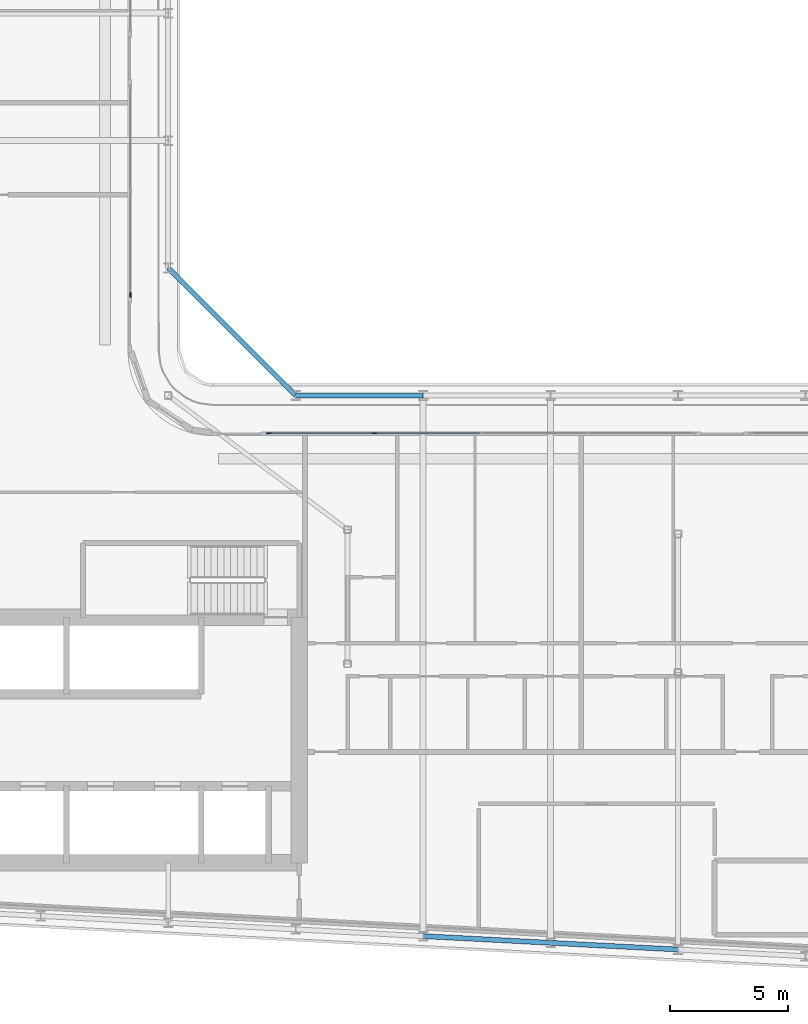
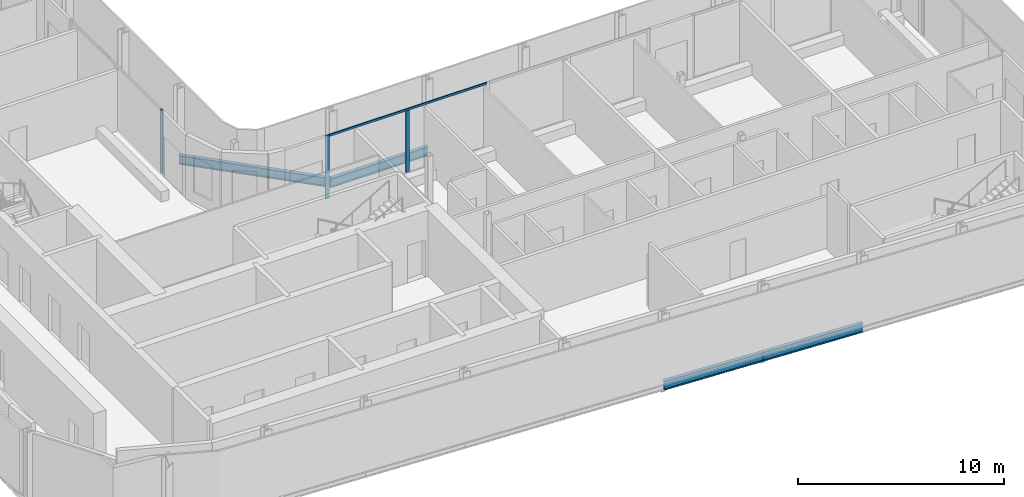
# One storey, part 4 of 21: 4 beams, 4 members, 2 elements without a shape of their own.
"""IFC4 building model written with IfcOpenShell, lengths in metres."""

from ifc_helpers import new_model, si_unit, direction, frame, origin, origin_2d, place, context, subcontext, project, spatial, rectangle, i_section, extrude, material, layer, layer_set, material_profile, profile_set, type_object, element, aggregate, save


model = new_model("IFC4")

# Units and contexts
model_context = context("Model", 3, precision=1e-05, world=origin(), true_north=direction((0.0, 1.0)))
body_context = subcontext(model_context, "Body", "Model", "MODEL_VIEW")
ifc_project = project(units=[si_unit("LENGTHUNIT", "METRE"), si_unit("AREAUNIT", "SQUARE_METRE"), si_unit("VOLUMEUNIT", "CUBIC_METRE"), si_unit("PLANEANGLEUNIT", "RADIAN"), si_unit("MASSUNIT", "GRAM", prefix="KILO")], contexts=[model_context])

# Site, building, storey
site_placement = place(None, origin())
site = spatial("IfcSite", under=ifc_project, at=site_placement, CompositionType="ELEMENT")
building_placement = place(site_placement, origin())
building = spatial("IfcBuilding", under=site, at=building_placement, Name="Kheshtan School and Residences Tower", CompositionType="ELEMENT")
storey_placement = place(building_placement, frame((0.0, 0.0, 235.699951171875)))
storey = spatial("IfcBuildingStorey", under=building, at=storey_placement, Name="L55", CompositionType="ELEMENT", Elevation=235.699951171875)

# Beams
ifc_material_1 = material(Name="Steel ASTM A992 Grade 50", Category="steel")
ifc_material_profile_1 = material_profile(ifc_material_1, i_section(OverallWidth=0.208984375, OverallDepth=0.532958984375, WebThickness=0.01025390625, FlangeThickness=0.015625, FilletRadius=0.013916015625, at=origin_2d()), Name="W530x92")
ifc_profile_set_1 = profile_set([ifc_material_profile_1], Name="Steel ASTM A992 Grade 50")
beam_type = type_object("IfcBeamType", Name="Beam SP3 W530x92 ASTM A992 Grade 50", PredefinedType="BEAM", material=ifc_profile_set_1)
beam_1_placement = place(storey_placement, frame((47.60009765625, 51.0, -0.41650390625), z_axis=(0.707106781187, -0.707106781187, 0.0), x_axis=(0.707106781187, 0.707106781187, 0.0)))
element("IfcBeam", 1, at=beam_1_placement, inside=storey, type_object=beam_type, Name="Spandrel beam C079-C061", PredefinedType="BEAM", context=body_context, shape_type="SweptSolid", body=[
    extrude(i_section(OverallWidth=0.208984375, OverallDepth=0.532958984375, WebThickness=0.01025390625, FlangeThickness=0.015625, FilletRadius=0.013916015625, at=origin_2d()), origin(), (0.0, 0.0, 1.0), 7.63671875),
])
beam_2_placement = place(storey_placement, frame((53.0, 45.60009765625, -0.41650390625), z_axis=(1.0, 0.0, 0.0), x_axis=(0.0, 1.0, 0.0)))
element("IfcBeam", 2, at=beam_2_placement, inside=storey, type_object=beam_type, Name="Spandrel beam C061-C062", PredefinedType="BEAM", context=body_context, shape_type="SweptSolid", body=[
    extrude(i_section(OverallWidth=0.208984375, OverallDepth=0.532958984375, WebThickness=0.01025390625, FlangeThickness=0.015625, FilletRadius=0.013916015625, at=origin_2d()), origin(), (0.0, 0.0, 1.0), 5.39990234375),
])
beam_3_placement = place(storey_placement, frame((69.199951171875, 22.126953125, -0.41650390625), z_axis=(-0.998620447272, 0.05250906864, 0.0), x_axis=(-0.05250906864, -0.998620447272, 0.0)))
element("IfcBeam", 3, at=beam_3_placement, inside=storey, type_object=beam_type, Name="Spandrel beam C014-C016", PredefinedType="BEAM", context=body_context, shape_type="SweptSolid", body=[
    extrude(i_section(OverallWidth=0.208984375, OverallDepth=0.532958984375, WebThickness=0.01025390625, FlangeThickness=0.015625, FilletRadius=0.013916015625, at=origin_2d()), origin(), (0.0, 0.0, 1.0), 5.407470703125),
])
beam_4_placement = place(storey_placement, frame((63.800048828125, 22.410888671875, -0.41650390625), z_axis=(-0.998618203458, 0.052551724256, 0.0), x_axis=(-0.052551724256, -0.998618203458, 0.0)))
element("IfcBeam", 4, at=beam_4_placement, inside=storey, type_object=beam_type, Name="Spandrel beam C016-C018", PredefinedType="BEAM", context=body_context, shape_type="SweptSolid", body=[
    extrude(i_section(OverallWidth=0.208984375, OverallDepth=0.532958984375, WebThickness=0.01025390625, FlangeThickness=0.015625, FilletRadius=0.013916015625, at=origin_2d()), origin(), (0.0, 0.0, 1.0), 5.40771484375),
])

# Curtain wall, member
ifc_material_2 = material(Name="Clear low-e glass in thermally broken aluminium frame", Category="aluminium")
ifc_layer = layer(ifc_material_2, 0.199951171875)
ifc_layer_set = layer_set([ifc_layer], Name="Curtain wall CW-L")
curtain_wall_type = type_object("IfcCurtainWallType", Name="Curtain wall CW-L", PredefinedType="NOTDEFINED", material=ifc_layer_set)
curtain_wall_1_placement = place(storey_placement, origin())
curtain_wall_1 = element("IfcCurtainWall", 5, at=curtain_wall_1_placement, inside=storey, type_object=curtain_wall_type, Name="Curtain wall CWL4b", PredefinedType="NOTDEFINED")
ifc_material_3 = material(Name="Thermally broken aluminium, dark bronze anodised", Category="aluminium")
ifc_material_profile_2 = material_profile(ifc_material_3, rectangle(XDim=0.06005859375, YDim=0.199951171875, at=origin_2d()), Name="CW-L mullion 60x200")
ifc_profile_set_2 = profile_set([ifc_material_profile_2], Name="Thermally broken aluminium, dark bronze anodised")
member_type_1 = type_object("IfcMemberType", Name="CW-L mullion 60x200", PredefinedType="MULLION", material=ifc_profile_set_2)
member_1_placement = place(storey_placement, frame((46.0, 49.860107421875, 0.0), z_axis=(0.0, 0.0, 1.0), x_axis=(1.0, 0.0, 0.0)))
member_1 = element("IfcMember", 6, at=member_1_placement, type_object=member_type_1, Name="CWL4b mullion 3", PredefinedType="MULLION", context=body_context, shape_type="SweptSolid", body=[
    extrude(rectangle(XDim=0.06005859375, YDim=0.199951171875, at=origin_2d()), origin(), (0.0, 0.0, 1.0), 3.75),
])
aggregate(curtain_wall_1, [member_1])

# Curtain wall, members
curtain_wall_2_placement = place(storey_placement, origin())
curtain_wall_2 = element("IfcCurtainWall", 7, at=curtain_wall_2_placement, inside=storey, type_object=curtain_wall_type, Name="Curtain wall CWL8n", PredefinedType="NOTDEFINED")
member_2_placement = place(storey_placement, frame((51.860107421875, 44.0, 0.0), z_axis=(0.0, 0.0, 1.0), x_axis=(0.0, 1.0, 0.0)))
member_2 = element("IfcMember", 8, at=member_2_placement, type_object=member_type_1, Name="CWL8n mullion 1", PredefinedType="MULLION", context=body_context, shape_type="SweptSolid", body=[
    extrude(rectangle(XDim=0.06005859375, YDim=0.199951171875, at=origin_2d()), origin(), (0.0, 0.0, 1.0), 3.75),
])
member_3_placement = place(storey_placement, frame((56.341552734375, 44.0, 0.0), z_axis=(0.0, 0.0, 1.0), x_axis=(0.0, 1.0, 0.0)))
member_3 = element("IfcMember", 9, at=member_3_placement, type_object=member_type_1, Name="CWL8n mullion 2", PredefinedType="MULLION", context=body_context, shape_type="SweptSolid", body=[
    extrude(rectangle(XDim=0.06005859375, YDim=0.199951171875, at=origin_2d()), origin(), (0.0, 0.0, 1.0), 3.630126953125),
])
ifc_material_profile_3 = material_profile(ifc_material_3, rectangle(XDim=0.06005859375, YDim=0.1201171875, at=origin_2d()), Name="CW-L transom 60x120")
ifc_profile_set_3 = profile_set([ifc_material_profile_3], Name="Thermally broken aluminium, dark bronze anodised")
member_type_2 = type_object("IfcMemberType", Name="CW-L transom 60x120", PredefinedType="USERDEFINED", material=ifc_profile_set_3)
member_4_placement = place(storey_placement, frame((51.889892578125, 44.0, 3.68994140625), z_axis=(1.0, 0.0, 0.0), x_axis=(0.0, 1.0, 0.0)))
member_4 = element("IfcMember", 10, at=member_4_placement, type_object=member_type_2, Name="CWL8n transom 1", ObjectType="TRANSOM", PredefinedType="USERDEFINED", context=body_context, shape_type="SweptSolid", body=[
    extrude(rectangle(XDim=0.06005859375, YDim=0.1201171875, at=origin_2d()), origin(), (0.0, 0.0, 1.0), 8.9033203125),
])
aggregate(curtain_wall_2, [member_2, member_3, member_4])

save(model, "model.ifc")
